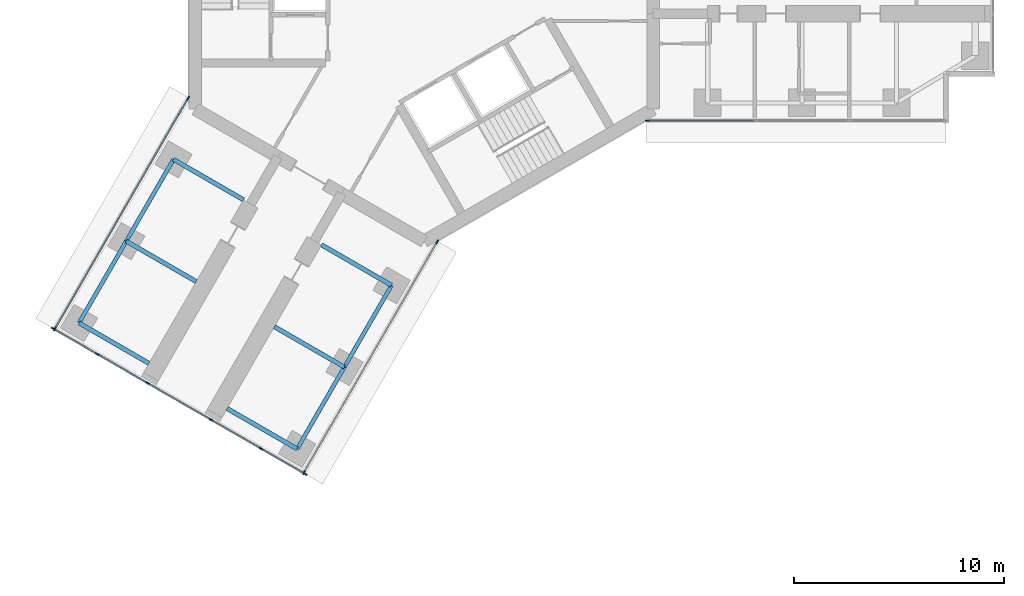
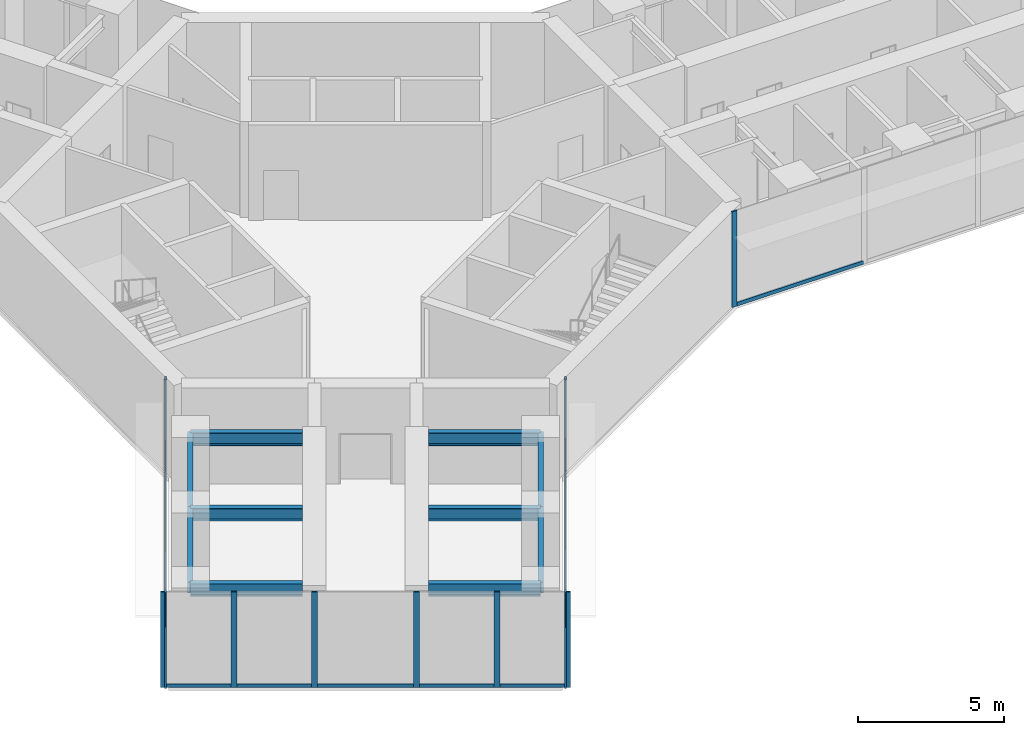
# One storey, part 2 of 22: 19 members, 10 beams, 4 elements without a shape of their own.
"""IFC4 building model written with IfcOpenShell, lengths in metres."""

from ifc_helpers import new_model, si_unit, direction, frame, origin, origin_2d, place, context, subcontext, project, spatial, rectangle, i_section, extrude, material, material_profile, profile_set, type_object, element, aggregate, save


model = new_model("IFC4")

# Units and contexts
model_context = context("Model", 3, precision=1e-05, world=origin(), true_north=direction((0.0, 1.0)))
body_context = subcontext(model_context, "Body", "Model", "MODEL_VIEW")
ifc_project = project(units=[si_unit("LENGTHUNIT", "METRE"), si_unit("AREAUNIT", "SQUARE_METRE"), si_unit("VOLUMEUNIT", "CUBIC_METRE"), si_unit("PLANEANGLEUNIT", "RADIAN"), si_unit("MASSUNIT", "GRAM", prefix="KILO")], contexts=[model_context])

# Site, building, storey
site_placement = place(None, origin())
site = spatial("IfcSite", under=ifc_project, at=site_placement, CompositionType="ELEMENT")
building_placement = place(site_placement, origin())
building = spatial("IfcBuilding", under=site, at=building_placement, Name="Upepo Twin Towers", CompositionType="ELEMENT")
storey_placement = place(building_placement, frame((0.0, 0.0, 141.5)))
storey = spatial("IfcBuildingStorey", under=building, at=storey_placement, Name="L34", CompositionType="ELEMENT", Elevation=141.5)

# Beams
ifc_material_1 = material(Name="Steel S355", Category="steel")
ifc_material_profile_1 = material_profile(ifc_material_1, i_section(OverallWidth=0.1904296875, OverallDepth=0.45703125, WebThickness=0.009033203125, FlangeThickness=0.014404296875, FilletRadius=0.01025390625, at=origin_2d()), Name="UB 457x191x74")
ifc_profile_set_1 = profile_set([ifc_material_profile_1], Name="Steel S355")
beam_type_1 = type_object("IfcBeamType", Name="Beam UB 457x191x74", PredefinedType="BEAM", material=ifc_profile_set_1)
beam_1_placement = place(storey_placement, frame((-1.553955078125, -14.69140625, 3.571533203125), z_axis=(-0.500013631625, -0.866017533419, 0.0), x_axis=(0.866017533419, -0.500013631625, 0.0)))
element("IfcBeam", 1, at=beam_1_placement, inside=storey, type_object=beam_type_1, Name="T1 edge beam CL 13.5-18.0", PredefinedType="BEAM", context=body_context, shape_type="SweptSolid", body=[
    extrude(i_section(OverallWidth=0.1904296875, OverallDepth=0.45703125, WebThickness=0.009033203125, FlangeThickness=0.014404296875, FilletRadius=0.01025390625, at=origin_2d()), origin(), (0.0, 0.0, 1.0), 4.499755859375),
])
beam_2_placement = place(storey_placement, frame((-3.803955078125, -18.58837890625, 3.571533203125), z_axis=(-0.499990139034, -0.866031096941, 0.0), x_axis=(0.866031096941, -0.499990139034, 0.0)))
element("IfcBeam", 2, at=beam_2_placement, inside=storey, type_object=beam_type_1, Name="T1 edge beam CL 18.0-22.5", PredefinedType="BEAM", context=body_context, shape_type="SweptSolid", body=[
    extrude(i_section(OverallWidth=0.1904296875, OverallDepth=0.45703125, WebThickness=0.009033203125, FlangeThickness=0.014404296875, FilletRadius=0.01025390625, at=origin_2d()), origin(), (0.0, 0.0, 1.0), 4.5),
])
beam_3_placement = place(storey_placement, frame((-11.946044921875, -8.69140625, 3.571533203125), z_axis=(-0.500013631625, -0.866017533419, 0.0), x_axis=(0.866017533419, -0.500013631625, 0.0)))
element("IfcBeam", 3, at=beam_3_placement, inside=storey, type_object=beam_type_1, Name="T1 edge beam CR 13.5-18.0", PredefinedType="BEAM", context=body_context, shape_type="SweptSolid", body=[
    extrude(i_section(OverallWidth=0.1904296875, OverallDepth=0.45703125, WebThickness=0.009033203125, FlangeThickness=0.014404296875, FilletRadius=0.01025390625, at=origin_2d()), origin(), (0.0, 0.0, 1.0), 4.499755859375),
])
beam_4_placement = place(storey_placement, frame((-14.196044921875, -12.58837890625, 3.571533203125), z_axis=(-0.499990139034, -0.866031096941, 0.0), x_axis=(0.866031096941, -0.499990139034, 0.0)))
element("IfcBeam", 4, at=beam_4_placement, inside=storey, type_object=beam_type_1, Name="T1 edge beam CR 18.0-22.5", PredefinedType="BEAM", context=body_context, shape_type="SweptSolid", body=[
    extrude(i_section(OverallWidth=0.1904296875, OverallDepth=0.45703125, WebThickness=0.009033203125, FlangeThickness=0.014404296875, FilletRadius=0.01025390625, at=origin_2d()), origin(), (0.0, 0.0, 1.0), 4.5),
])
ifc_material_2 = material(Name="Steel S355", Category="steel")
ifc_material_profile_2 = material_profile(ifc_material_2, i_section(OverallWidth=0.209228515625, OverallDepth=0.533203125, WebThickness=0.010009765625, FlangeThickness=0.015625, FilletRadius=0.0126953125, at=origin_2d()), Name="UB 533x210x92")
ifc_profile_set_2 = profile_set([ifc_material_profile_2], Name="Steel S355")
beam_type_2 = type_object("IfcBeamType", Name="Beam UB 533x210x92", PredefinedType="BEAM", material=ifc_profile_set_2)
beam_5_placement = place(storey_placement, frame((-1.553955078125, -14.69140625, 3.533447265625), z_axis=(-0.866006051527, 0.500033517596, 0.0), x_axis=(-0.500033517596, -0.866006051527, 0.0)))
element("IfcBeam", 5, at=beam_5_placement, inside=storey, type_object=beam_type_2, Name="T1 girder CL at 13.5", PredefinedType="BEAM", context=body_context, shape_type="SweptSolid", body=[
    extrude(i_section(OverallWidth=0.209228515625, OverallDepth=0.533203125, WebThickness=0.010009765625, FlangeThickness=0.015625, FilletRadius=0.0126953125, at=origin_2d()), origin(), (0.0, 0.0, 1.0), 3.849853515625),
])
beam_6_placement = place(storey_placement, frame((-3.803955078125, -18.58837890625, 3.533447265625), z_axis=(-0.866033512162, 0.499985955615, 0.0), x_axis=(-0.499985955615, -0.866033512162, 0.0)))
element("IfcBeam", 6, at=beam_6_placement, inside=storey, type_object=beam_type_2, Name="T1 girder CL at 18.0", PredefinedType="BEAM", context=body_context, shape_type="SweptSolid", body=[
    extrude(i_section(OverallWidth=0.209228515625, OverallDepth=0.533203125, WebThickness=0.010009765625, FlangeThickness=0.015625, FilletRadius=0.0126953125, at=origin_2d()), origin(), (0.0, 0.0, 1.0), 3.849609375),
])
for number, where, z_axis, x_axis, name in (
    (7, (-6.053955078125, -22.485595703125, 3.533447265625), (-0.866006051527, 0.500033517596, 0.0), (-0.500033517596, -0.866006051527, 0.0), "T1 girder CL at 22.5"),
    (8, (-11.946044921875, -8.69140625, 3.533447265625), (0.866006051527, -0.500033517596, 0.0), (0.500033517596, 0.866006051527, 0.0), "T1 girder CR at 13.5"),
    (9, (-14.196044921875, -12.58837890625, 3.533447265625), (0.866006051527, -0.500033517596, 0.0), (0.500033517596, 0.866006051527, 0.0), "T1 girder CR at 18.0"),
    (10, (-16.446044921875, -16.485595703125, 3.533447265625), (0.866006051527, -0.500033517596, 0.0), (0.500033517596, 0.866006051527, 0.0), "T1 girder CR at 22.5"),
):
    element("IfcBeam", number, at=place(storey_placement, frame(where, z_axis=z_axis, x_axis=x_axis)), inside=storey, type_object=beam_type_2, Name=name, PredefinedType="BEAM", context=body_context, shape_type="SweptSolid", body=[
        extrude(i_section(OverallWidth=0.209228515625, OverallDepth=0.533203125, WebThickness=0.010009765625, FlangeThickness=0.015625, FilletRadius=0.0126953125, at=origin_2d()), origin(), (0.0, 0.0, 1.0), 3.849853515625),
    ])

# Curtain wall, member
ifc_material_3 = material(Name="Aluminium and fritted glass", Category="aluminium")
curtain_wall_type = type_object("IfcCurtainWallType", Name="Tower curtain wall TW2, fritted glass", PredefinedType="NOTDEFINED", material=ifc_material_3)
curtain_wall_1_placement = place(storey_placement, origin())
curtain_wall_1 = element("IfcCurtainWall", 11, at=curtain_wall_1_placement, inside=storey, type_object=curtain_wall_type, Name="T1 L34 wing A flank R curtain wall", PredefinedType="NOTDEFINED")
ifc_material_4 = material(Name="Aluminium mullion", Category="aluminium")
ifc_material_profile_3 = material_profile(ifc_material_4, rectangle(XDim=0.06494140625, YDim=0.199951171875, at=origin_2d()), Name="MULLION 65x200")
ifc_profile_set_3 = profile_set([ifc_material_profile_3], Name="Aluminium mullion")
member_type_1 = type_object("IfcMemberType", Name="Mullion 65x200 TW2", PredefinedType="MULLION", material=ifc_profile_set_3)
member_1_placement = place(storey_placement, frame((10.61962890625, -6.85009765625, 0.0), z_axis=(0.0, 0.0, 1.0), x_axis=(0.0, -1.0, 0.0)))
member_1 = element("IfcMember", 12, at=member_1_placement, type_object=member_type_1, Name="T1 L34 wing A flank R curtain wall mullion 4", PredefinedType="MULLION", context=body_context, shape_type="SweptSolid", body=[
    extrude(rectangle(XDim=0.06494140625, YDim=0.199951171875, at=origin_2d()), origin(), (0.0, 0.0, 1.0), 4.0),
])

# Curtain wall, members
curtain_wall_2_placement = place(storey_placement, origin())
curtain_wall_2 = element("IfcCurtainWall", 13, at=curtain_wall_2_placement, inside=storey, type_object=curtain_wall_type, Name="T1 L34 wing C flank L curtain wall", PredefinedType="NOTDEFINED")
member_2_placement = place(storey_placement, frame((0.62255859375, -12.621826171875, 0.0), z_axis=(0.0, 0.0, 1.0), x_axis=(0.866025399212, -0.50000000792, 0.0)))
member_2 = element("IfcMember", 14, at=member_2_placement, type_object=member_type_1, Name="T1 L34 wing C flank L curtain wall mullion 1", PredefinedType="MULLION", context=body_context, shape_type="SweptSolid", body=[
    extrude(rectangle(XDim=0.06494140625, YDim=0.199951171875, at=origin_2d()), origin(), (0.0, 0.0, 1.0), 4.0),
])
member_3_placement = place(storey_placement, frame((-5.7265625, -23.61865234375, 0.0), z_axis=(0.0, 0.0, 1.0), x_axis=(0.866025399212, -0.50000000792, 0.0)))
member_3 = element("IfcMember", 15, at=member_3_placement, type_object=member_type_1, Name="T1 L34 wing C flank L curtain wall mullion 2", PredefinedType="MULLION", context=body_context, shape_type="SweptSolid", body=[
    extrude(rectangle(XDim=0.06494140625, YDim=0.199951171875, at=origin_2d()), origin(), (0.0, 0.0, 1.0), 4.0),
])

curtain_wall_3_placement = place(storey_placement, origin())
curtain_wall_3 = element("IfcCurtainWall", 16, at=curtain_wall_3_placement, inside=storey, type_object=curtain_wall_type, Name="T1 L34 wing C flank R curtain wall", PredefinedType="NOTDEFINED")
member_4_placement = place(storey_placement, frame((-17.591064453125, -16.7685546875, 0.0), z_axis=(0.0, 0.0, 1.0), x_axis=(-0.866025399212, 0.50000000792, 0.0)))
member_4 = element("IfcMember", 17, at=member_4_placement, type_object=member_type_1, Name="T1 L34 wing C flank R curtain wall mullion 1", PredefinedType="MULLION", context=body_context, shape_type="SweptSolid", body=[
    extrude(rectangle(XDim=0.06494140625, YDim=0.199951171875, at=origin_2d()), origin(), (0.0, 0.0, 1.0), 4.0),
])
member_5_placement = place(storey_placement, frame((-11.2421875, -5.77197265625, 0.0), z_axis=(0.0, 0.0, 1.0), x_axis=(-0.866025399212, 0.50000000792, 0.0)))
member_5 = element("IfcMember", 18, at=member_5_placement, type_object=member_type_1, Name="T1 L34 wing C flank R curtain wall mullion 2", PredefinedType="MULLION", context=body_context, shape_type="SweptSolid", body=[
    extrude(rectangle(XDim=0.06494140625, YDim=0.199951171875, at=origin_2d()), origin(), (0.0, 0.0, 1.0), 4.0),
])

curtain_wall_4_placement = place(storey_placement, origin())
curtain_wall_4 = element("IfcCurtainWall", 19, at=curtain_wall_4_placement, inside=storey, type_object=curtain_wall_type, Name="T1 L34 wing C nose curtain wall", PredefinedType="NOTDEFINED")
member_6_placement = place(storey_placement, frame((-17.665771484375, -16.762939453125, 0.0), z_axis=(0.0, 0.0, 1.0), x_axis=(0.499999972355, 0.866025419745, 0.0)))
member_6 = element("IfcMember", 20, at=member_6_placement, type_object=member_type_1, Name="T1 L34 wing C nose curtain wall mullion 1", PredefinedType="MULLION", context=body_context, shape_type="SweptSolid", body=[
    extrude(rectangle(XDim=0.06494140625, YDim=0.199951171875, at=origin_2d()), origin(), (0.0, 0.0, 1.0), 4.0),
])
member_7_placement = place(storey_placement, frame((-15.572021484375, -17.9716796875, 0.0), z_axis=(0.0, 0.0, 1.0), x_axis=(0.499999972355, 0.866025419745, 0.0)))
member_7 = element("IfcMember", 21, at=member_7_placement, type_object=member_type_1, Name="T1 L34 wing C nose curtain wall mullion 2", PredefinedType="MULLION", context=body_context, shape_type="SweptSolid", body=[
    extrude(rectangle(XDim=0.06494140625, YDim=0.199951171875, at=origin_2d()), origin(), (0.0, 0.0, 1.0), 4.0),
])
member_8_placement = place(storey_placement, frame((-13.1904296875, -19.3466796875, 0.0), z_axis=(0.0, 0.0, 1.0), x_axis=(0.499999972355, 0.866025419745, 0.0)))
member_8 = element("IfcMember", 22, at=member_8_placement, type_object=member_type_1, Name="T1 L34 wing C nose curtain wall mullion 3", PredefinedType="MULLION", context=body_context, shape_type="SweptSolid", body=[
    extrude(rectangle(XDim=0.06494140625, YDim=0.199951171875, at=origin_2d()), origin(), (0.0, 0.0, 1.0), 4.0),
])
member_9_placement = place(storey_placement, frame((-10.159423828125, -21.0966796875, 0.0), z_axis=(0.0, 0.0, 1.0), x_axis=(0.499999972355, 0.866025419745, 0.0)))
member_9 = element("IfcMember", 23, at=member_9_placement, type_object=member_type_1, Name="T1 L34 wing C nose curtain wall mullion 4", PredefinedType="MULLION", context=body_context, shape_type="SweptSolid", body=[
    extrude(rectangle(XDim=0.06494140625, YDim=0.199951171875, at=origin_2d()), origin(), (0.0, 0.0, 1.0), 4.0),
])
member_10_placement = place(storey_placement, frame((-7.77783203125, -22.4716796875, 0.0), z_axis=(0.0, 0.0, 1.0), x_axis=(0.499999972355, 0.866025419745, 0.0)))
member_10 = element("IfcMember", 24, at=member_10_placement, type_object=member_type_1, Name="T1 L34 wing C nose curtain wall mullion 5", PredefinedType="MULLION", context=body_context, shape_type="SweptSolid", body=[
    extrude(rectangle(XDim=0.06494140625, YDim=0.199951171875, at=origin_2d()), origin(), (0.0, 0.0, 1.0), 4.0),
])
member_11_placement = place(storey_placement, frame((-5.684326171875, -23.680419921875, 0.0), z_axis=(0.0, 0.0, 1.0), x_axis=(0.499999972355, 0.866025419745, 0.0)))
member_11 = element("IfcMember", 25, at=member_11_placement, type_object=member_type_1, Name="T1 L34 wing C nose curtain wall mullion 6", PredefinedType="MULLION", context=body_context, shape_type="SweptSolid", body=[
    extrude(rectangle(XDim=0.06494140625, YDim=0.199951171875, at=origin_2d()), origin(), (0.0, 0.0, 1.0), 4.0),
])

# Member
ifc_material_5 = material(Name="Aluminium transom", Category="aluminium")
ifc_material_profile_4 = material_profile(ifc_material_5, rectangle(XDim=0.06494140625, YDim=0.14990234375, at=origin_2d()), Name="TRANSOM 65x150")
ifc_profile_set_4 = profile_set([ifc_material_profile_4], Name="Aluminium transom")
member_type_2 = type_object("IfcMemberType", Name="Transom 65x150 TW2", PredefinedType="USERDEFINED", material=ifc_profile_set_4)
member_12_placement = place(storey_placement, frame((15.717529296875, -6.85009765625, 0.074951171875), z_axis=(-1.0, 0.0, 0.0), x_axis=(0.0, -1.0, 0.0)))
member_12 = element("IfcMember", 26, at=member_12_placement, type_object=member_type_2, Name="T1 L34 wing A flank R curtain wall transom 3", ObjectType="TRANSOM", PredefinedType="USERDEFINED", context=body_context, shape_type="SweptSolid", body=[
    extrude(rectangle(XDim=0.06494140625, YDim=0.14990234375, at=origin_2d()), origin(), (0.0, 0.0, 1.0), 5.0654296875),
])

aggregate(curtain_wall_1, [member_1, member_12])

member_13_placement = place(storey_placement, frame((0.606201171875, -12.64990234375, 0.074951171875), z_axis=(-0.499996807431, -0.866027247007, 0.0), x_axis=(0.866027247007, -0.499996807431, 0.0)))
member_13 = element("IfcMember", 27, at=member_13_placement, type_object=member_type_2, Name="T1 L34 wing C flank L curtain wall transom 1", ObjectType="TRANSOM", PredefinedType="USERDEFINED", context=body_context, shape_type="SweptSolid", body=[
    extrude(rectangle(XDim=0.06494140625, YDim=0.14990234375, at=origin_2d()), origin(), (0.0, 0.0, 1.0), 12.6328125),
])

aggregate(curtain_wall_2, [member_2, member_3, member_13])

member_14_placement = place(storey_placement, frame((-17.57470703125, -16.740478515625, 0.074951171875), z_axis=(0.499996807431, 0.866027247007, 0.0), x_axis=(-0.866027247007, 0.499996807431, 0.0)))
member_14 = element("IfcMember", 28, at=member_14_placement, type_object=member_type_2, Name="T1 L34 wing C flank R curtain wall transom 1", ObjectType="TRANSOM", PredefinedType="USERDEFINED", context=body_context, shape_type="SweptSolid", body=[
    extrude(rectangle(XDim=0.06494140625, YDim=0.14990234375, at=origin_2d()), origin(), (0.0, 0.0, 1.0), 12.6328125),
])

aggregate(curtain_wall_3, [member_4, member_5, member_14])

member_15_placement = place(storey_placement, frame((-17.6376953125, -16.779296875, 0.074951171875), z_axis=(0.866069800327, -0.499923095048, 0.0), x_axis=(0.499923095048, 0.866069800327, 0.0)))
member_15 = element("IfcMember", 29, at=member_15_placement, type_object=member_type_2, Name="T1 L34 wing C nose curtain wall transom 1", ObjectType="TRANSOM", PredefinedType="USERDEFINED", context=body_context, shape_type="SweptSolid", body=[
    extrude(rectangle(XDim=0.06494140625, YDim=0.14990234375, at=origin_2d()), origin(), (0.0, 0.0, 1.0), 2.352294921875),
])

member_16_placement = place(storey_placement, frame((-15.5439453125, -17.988037109375, 0.074951171875), z_axis=(0.8660523339, -0.49995335277, 0.0), x_axis=(0.49995335277, 0.8660523339, 0.0)))
member_16 = element("IfcMember", 30, at=member_16_placement, type_object=member_type_2, Name="T1 L34 wing C nose curtain wall transom 2", ObjectType="TRANSOM", PredefinedType="USERDEFINED", context=body_context, shape_type="SweptSolid", body=[
    extrude(rectangle(XDim=0.06494140625, YDim=0.14990234375, at=origin_2d()), origin(), (0.0, 0.0, 1.0), 2.684814453125),
])

member_17_placement = place(storey_placement, frame((-13.162353515625, -19.363037109375, 0.074951171875), z_axis=(0.866056579774, -0.499945997713, 0.0), x_axis=(0.499945997713, 0.866056579774, 0.0)))
member_17 = element("IfcMember", 31, at=member_17_placement, type_object=member_type_2, Name="T1 L34 wing C nose curtain wall transom 3", ObjectType="TRANSOM", PredefinedType="USERDEFINED", context=body_context, shape_type="SweptSolid", body=[
    extrude(rectangle(XDim=0.06494140625, YDim=0.14990234375, at=origin_2d()), origin(), (0.0, 0.0, 1.0), 3.43505859375),
])

member_18_placement = place(storey_placement, frame((-10.13134765625, -21.113037109375, 0.074951171875), z_axis=(0.8660523339, -0.49995335277, 0.0), x_axis=(0.49995335277, 0.8660523339, 0.0)))
member_18 = element("IfcMember", 32, at=member_18_placement, type_object=member_type_2, Name="T1 L34 wing C nose curtain wall transom 4", ObjectType="TRANSOM", PredefinedType="USERDEFINED", context=body_context, shape_type="SweptSolid", body=[
    extrude(rectangle(XDim=0.06494140625, YDim=0.14990234375, at=origin_2d()), origin(), (0.0, 0.0, 1.0), 2.684814453125),
])

member_19_placement = place(storey_placement, frame((-7.749755859375, -22.488037109375, 0.074951171875), z_axis=(0.866024864377, -0.50000093428, 0.0), x_axis=(0.50000093428, 0.866024864377, 0.0)))
member_19 = element("IfcMember", 33, at=member_19_placement, type_object=member_type_2, Name="T1 L34 wing C nose curtain wall transom 5", ObjectType="TRANSOM", PredefinedType="USERDEFINED", context=body_context, shape_type="SweptSolid", body=[
    extrude(rectangle(XDim=0.06494140625, YDim=0.14990234375, at=origin_2d()), origin(), (0.0, 0.0, 1.0), 2.3525390625),
])

aggregate(curtain_wall_4, [member_6, member_7, member_8, member_9, member_10, member_11, member_15, member_16, member_17, member_18, member_19])

save(model, "model.ifc")
